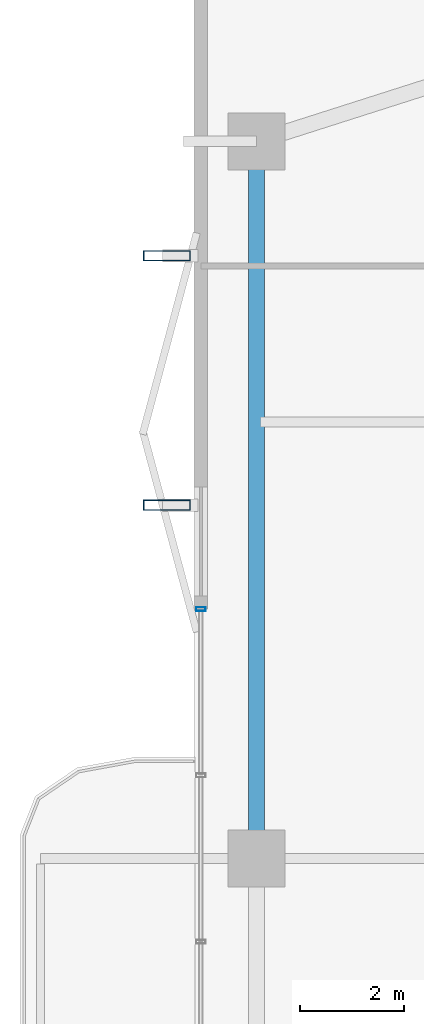
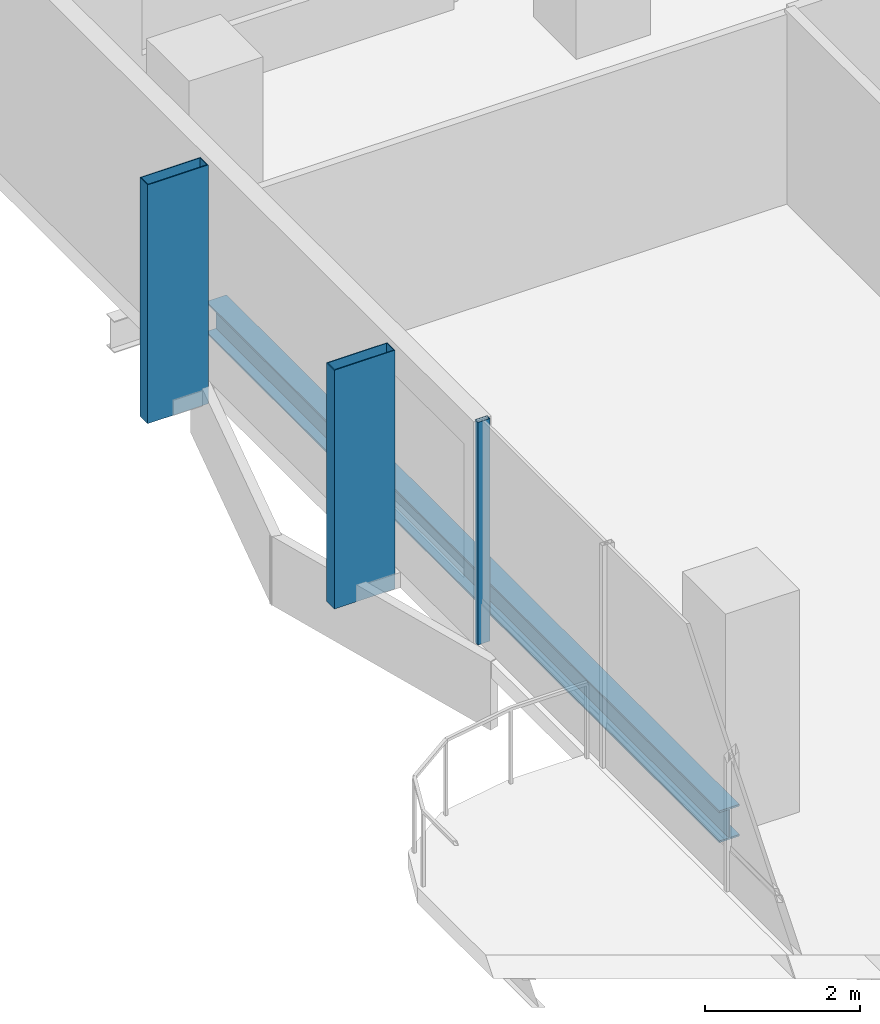
# One storey, part 11 of 25: 3 members, 1 beam, 1 element without a shape of its own.
"""IFC4 building model written with IfcOpenShell, lengths in metres."""

from ifc_helpers import new_model, si_unit, direction, frame, origin, origin_2d, place, context, subcontext, project, spatial, hollow_rectangle, i_section, extrude, material, layer, layer_set, material_profile, profile_set, type_object, element, aggregate, save


model = new_model("IFC4")

# Units and contexts
model_context = context("Model", 3, precision=1e-05, world=origin(), true_north=direction((0.0, 1.0)))
body_context = subcontext(model_context, "Body", "Model", "MODEL_VIEW")
ifc_project = project(units=[si_unit("LENGTHUNIT", "METRE"), si_unit("AREAUNIT", "SQUARE_METRE"), si_unit("VOLUMEUNIT", "CUBIC_METRE"), si_unit("PLANEANGLEUNIT", "RADIAN"), si_unit("MASSUNIT", "GRAM", prefix="KILO")], contexts=[model_context])

# Site, building, storey
site_placement = place(None, origin())
site = spatial("IfcSite", under=ifc_project, at=site_placement, CompositionType="ELEMENT")
building_placement = place(site_placement, origin())
building = spatial("IfcBuilding", under=site, at=building_placement, Name="Belovzor Exchange Tower", CompositionType="ELEMENT")
storey_placement = place(building_placement, frame((0.0, 0.0, 187.050048828125)))
storey = spatial("IfcBuildingStorey", under=building, at=storey_placement, Name="L46", CompositionType="ELEMENT", Elevation=187.050048828125)

# Members
ifc_material_1 = material(Name="Extruded Architectural Terracotta on Steel S355 Carrier", Category="masonry")
ifc_material_profile_1 = material_profile(ifc_material_1, hollow_rectangle(XDim=0.199951171875, YDim=0.89990234375, WallThickness=0.011962890625, at=origin_2d()))
ifc_profile_set_1 = profile_set([ifc_material_profile_1], Name="Extruded Architectural Terracotta on Steel S355 Carrier")
member_type_1 = type_object("IfcMemberType", Name="Sweeping Terracotta Baguette Fin Assembly 1250", PredefinedType="USERDEFINED", material=ifc_profile_set_1)
for number, where, z_axis, x_axis, name in (
    (1, (3.97509765625, 35.60009765625, -0.255126953125), (0.0, 0.0, 1.0), (0.0, 1.0, 0.0), "FIN-TC125 Terracotta Facade Fin L46 W3"),
    (2, (3.97509765625, 40.39990234375, -0.255126953125), (0.0, 0.0, 1.0), (0.0, 1.0, 0.0), "FIN-TC125 Terracotta Facade Fin L46 W4"),
):
    element("IfcMember", number, at=place(storey_placement, frame(where, z_axis=z_axis, x_axis=x_axis)), inside=storey, type_object=member_type_1, Name=name, ObjectType="FIN", PredefinedType="USERDEFINED", context=body_context, shape_type="SweptSolid", body=[
        extrude(hollow_rectangle(XDim=0.199951171875, YDim=0.89990234375, WallThickness=0.011962890625, at=origin_2d()), origin(), (0.0, 0.0, 1.0), 3.75),
    ])

# Curtain wall, member
ifc_material_2 = material(Name="Anodised Aluminium Framing", Category="aluminium")
ifc_layer = layer(ifc_material_2, 0.179931640625)
ifc_layer_set = layer_set([ifc_layer], Name="Anodised Aluminium Framing")
curtain_wall_type = type_object("IfcCurtainWallType", Name="Recessed Loggia Low-Iron Triple-Glazed Curtain Wall", PredefinedType="NOTDEFINED", material=ifc_layer_set)
curtain_wall_placement = place(storey_placement, origin())
curtain_wall = element("IfcCurtainWall", 3, at=curtain_wall_placement, inside=storey, type_object=curtain_wall_type, Name="CW3 Recessed Loggia Low-Iron Triple-Glazed Curtain Wall L46", PredefinedType="NOTDEFINED")
ifc_material_3 = material(Name="Steel S355", Category="steel")
ifc_material_profile_2 = material_profile(ifc_material_3, hollow_rectangle(XDim=0.074951171875, YDim=0.179931640625, WallThickness=0.0048828125, at=origin_2d()))
ifc_profile_set_2 = profile_set([ifc_material_profile_2], Name="Steel S355")
member_type_2 = type_object("IfcMemberType", Name="Thermally Broken Curtain Wall Mullion 180x75", PredefinedType="MULLION", material=ifc_profile_set_2)
member_placement = place(storey_placement, frame((4.6298828125, 33.60009765625, 0.0), z_axis=(0.0, 0.0, 1.0), x_axis=(0.0, 1.0, 0.0)))
member = element("IfcMember", 4, at=member_placement, type_object=member_type_2, Name="CW-M180 Curtain Wall Mullion 4", PredefinedType="MULLION", context=body_context, shape_type="SweptSolid", body=[
    extrude(hollow_rectangle(XDim=0.074951171875, YDim=0.179931640625, WallThickness=0.0048828125, at=origin_2d()), origin(), (0.0, 0.0, 1.0), 3.494873046875),
])
aggregate(curtain_wall, [member])

# Beam
ifc_material_4 = material(Name="Steel S355", Category="steel")
ifc_material_profile_3 = material_profile(ifc_material_4, i_section(OverallWidth=0.300048828125, OverallDepth=0.5, WebThickness=0.014404296875, FlangeThickness=0.028076171875, at=origin_2d()))
ifc_profile_set_3 = profile_set([ifc_material_profile_3], Name="Steel S355")
beam_type = type_object("IfcBeamType", Name="Zone 3 Waist Primary Girder HEB 500", PredefinedType="BEAM", material=ifc_profile_set_3)
beam_placement = place(storey_placement, frame((5.699951171875, 42.297119140625, -0.505126953125), z_axis=(0.0, -1.0, 0.0), x_axis=(1.0, 0.0, 0.0)))
element("IfcBeam", 5, at=beam_placement, inside=storey, type_object=beam_type, Name="FG-Z3 Zone 3 Waist Primary Girder HEB 500", PredefinedType="BEAM", context=body_context, shape_type="SweptSolid", body=[
    extrude(i_section(OverallWidth=0.300048828125, OverallDepth=0.5, WebThickness=0.014404296875, FlangeThickness=0.028076171875, at=origin_2d()), origin(), (0.0, 0.0, 1.0), 13.195068359375),
])

save(model, "model.ifc")
